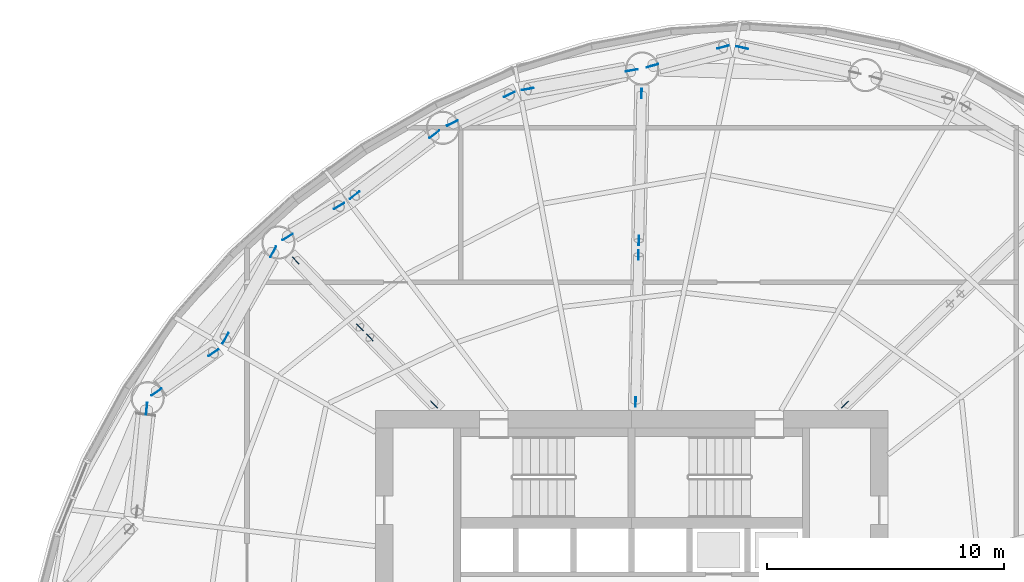
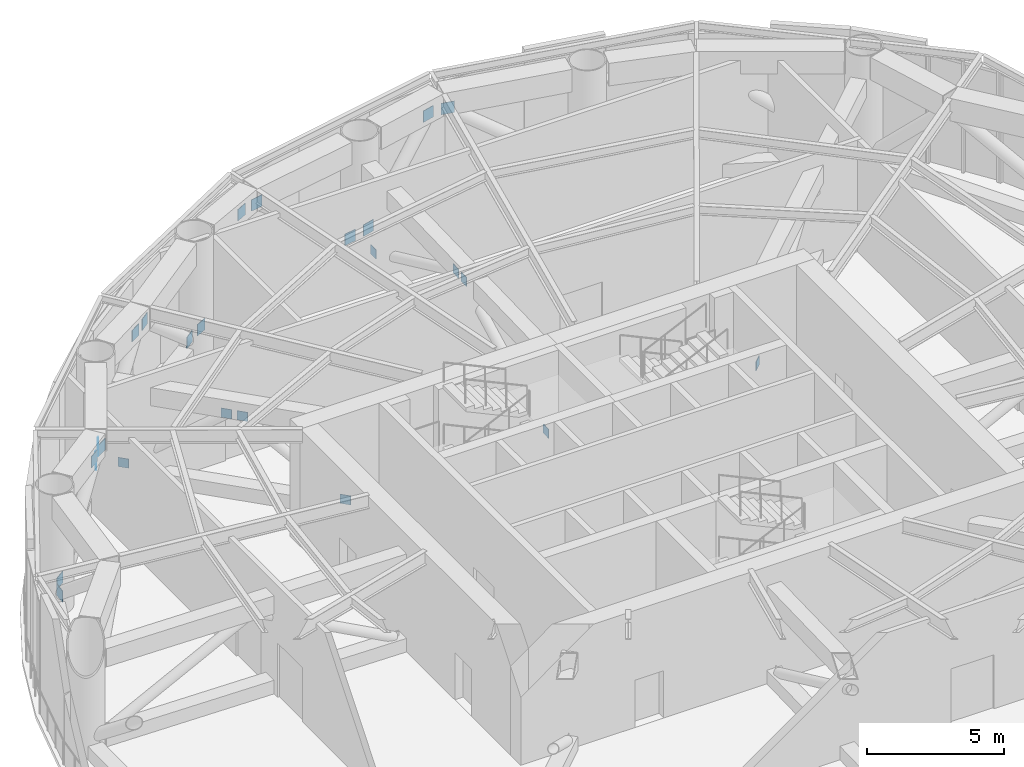
# One storey, part 14 of 19: 25 discrete accessories.
"""IFC4 building model written with IfcOpenShell, lengths in metres."""

from ifc_helpers import new_model, si_unit, direction, frame, origin, origin_2d, place, context, subcontext, project, spatial, rectangle, extrude, element, save


model = new_model("IFC4")

# Units and contexts
model_context = context("Model", 3, precision=1e-05, world=origin(), true_north=direction((0.0, 1.0)))
body_context = subcontext(model_context, "Body", "Model", "MODEL_VIEW")
ifc_project = project(units=[si_unit("LENGTHUNIT", "METRE"), si_unit("AREAUNIT", "SQUARE_METRE"), si_unit("VOLUMEUNIT", "CUBIC_METRE"), si_unit("PLANEANGLEUNIT", "RADIAN"), si_unit("MASSUNIT", "GRAM", prefix="KILO")], contexts=[model_context])

# Site, building, storey
site_placement = place(None, origin())
site = spatial("IfcSite", under=ifc_project, at=site_placement, CompositionType="ELEMENT")
building_placement = place(site_placement, origin())
building = spatial("IfcBuilding", under=site, at=building_placement, Name="Vermilion Reach Broadcast Tower", CompositionType="ELEMENT")
storey_placement = place(building_placement, frame((0.0, 0.0, 190.199951171875)))
storey = spatial("IfcBuildingStorey", under=building, at=storey_placement, Name="L46", CompositionType="ELEMENT", Elevation=190.199951171875)

# Discrete accessories
for number, where, z_axis, x_axis, name in (
    (1, (-1.350341796875, 23.679443359375, 4.0859375), (0.0, 0.0, 1.0), (-0.217054528288, -0.976159480695, 0.0), "Gusset plate BT3-D02A head"),
    (2, (-5.123291015625, 22.915283203125, 0.5458984375), (0.0, 0.0, 1.0), (-0.256063384529, 0.966659993536, 0.0), "Gusset plate BT3-D02B foot"),
    (3, (-2.14990234375, 23.702880859375, 4.0859375), (0.0, 0.0, 1.0), (-0.256063384529, 0.966659993536, 0.0), "Gusset plate BT3-D02B head"),
    (4, (-6.001220703125, 22.720458984375, 0.5458984375), (0.0, 0.0, 1.0), (0.176787643537, -0.984249017827, 0.0), "Gusset plate BT3-D03A foot"),
    (5, (-10.3857421875, 21.932861328125, 4.0859375), (0.0, 0.0, 1.0), (0.176787643537, -0.984249017827, 0.0), "Gusset plate BT3-D03A head"),
    (6, (-13.54931640625, 20.50244140625, 0.5458984375), (0.0, 0.0, 1.0), (-0.448300471679, 0.89388292695, 0.0), "Gusset plate BT3-D03B foot"),
    (7, (-11.152587890625, 21.70458984375, 4.0859375), (0.0, 0.0, 1.0), (-0.448300471679, 0.89388292695, 0.0), "Gusset plate BT3-D03B head"),
    (8, (-14.309326171875, 20.027587890625, 0.5458984375), (0.0, 0.0, 1.0), (0.606798738682, -0.794855515634, 0.0), "Gusset plate BT3-D04A foot"),
    (9, (-17.665283203125, 17.4658203125, 4.0859375), (0.0, 0.0, 1.0), (0.606798738682, -0.794855515634, 0.0), "Gusset plate BT3-D04A head"),
    (10, (-20.49365234375, 15.699462890625, 0.5458984375), (0.0, 0.0, 1.0), (-0.515980563901, 0.856600290495, 0.0), "Gusset plate BT3-D04B foot"),
    (11, (-18.3212890625, 17.008056640625, 4.0859375), (0.0, 0.0, 1.0), (-0.515980563901, 0.856600290495, 0.0), "Gusset plate BT3-D04B head"),
    (12, (-21.096923828125, 15.073486328125, 0.5458984375), (0.0, 0.0, 1.0), (0.875163403674, -0.483827466014, 0.0), "Gusset plate BT3-D05A foot"),
    (13, (-23.10546875, 11.440185546875, 4.0859375), (0.0, 0.0, 1.0), (0.875163403674, -0.483827466014, 0.0), "Gusset plate BT3-D05A head"),
    (14, (-26.018310546875, 9.167724609375, 0.5458984375), (0.0, 0.0, 1.0), (-0.569156237496, 0.822229394585, 0.0), "Gusset plate BT3-D05B foot"),
    (15, (-23.6201171875, 10.82763671875, 4.0859375), (0.0, 0.0, 1.0), (-0.569156237496, 0.822229394585, 0.0), "Gusset plate BT3-D05B head"),
    (16, (-26.431396484375, 8.463623046875, 0.5458984375), (0.0, 0.0, 1.0), (0.995420513513, -0.095592893449, 0.0), "Gusset plate BT3-D06A foot"),
):
    element("IfcDiscreteAccessory", number, at=place(storey_placement, frame(where, z_axis=z_axis, x_axis=x_axis)), inside=storey, Name=name, PredefinedType="NOTDEFINED", context=body_context, shape_type="SweptSolid", body=[
        extrude(rectangle(XDim=0.02490234375, YDim=0.508056640625, at=origin_2d()), origin(), (0.0, 0.0, 1.0), 0.508056640625),
    ])
for number, where, z_axis, x_axis, name in (
    (17, (2.984130859375, 8.642578125, 0.39697265625), (0.0, 0.0, 1.0), (-0.693276060614, 0.720672119468, 0.0), "Gusset plate OR3-01-DA foot"),
    (18, (-5.83056640625, 8.75, 0.39697265625), (0.0, 0.0, 1.0), (-0.999812346501, 0.019371932921, 0.0), "Gusset plate OR3-03-DA foot"),
    (19, (-5.71044921875, 14.9501953125, 3.34716796875), (0.0, 0.0, 1.0), (-0.999812346501, 0.019371932921, 0.0), "Gusset plate OR3-03-DA head"),
    (20, (-5.57861328125, 21.750244140625, 0.39697265625), (0.0, 0.0, 1.0), (-0.999812346501, 0.019371932921, 0.0), "Gusset plate OR3-03-DB foot"),
    (21, (-5.69873046875, 15.550048828125, 3.34716796875), (0.0, 0.0, 1.0), (-0.999812346501, 0.019371932921, 0.0), "Gusset plate OR3-03-DB head"),
    (22, (-14.3232421875, 8.65234375, 0.39697265625), (0.0, 0.0, 1.0), (-0.720672123183, -0.693276056753, 0.0), "Gusset plate OR3-05-DA foot"),
    (23, (-17.029296875, 11.465087890625, 3.34716796875), (0.0, 0.0, 1.0), (-0.720672123183, -0.693276056753, 0.0), "Gusset plate OR3-05-DA head"),
    (24, (-20.1513671875, 14.71044921875, 0.39697265625), (0.0, 0.0, 1.0), (-0.720672123183, -0.693276056753, 0.0), "Gusset plate OR3-05-DB foot"),
    (25, (-17.4453125, 11.8974609375, 3.34716796875), (0.0, 0.0, 1.0), (-0.720672123183, -0.693276056753, 0.0), "Gusset plate OR3-05-DB head"),
):
    element("IfcDiscreteAccessory", number, at=place(storey_placement, frame(where, z_axis=z_axis, x_axis=x_axis)), inside=storey, Name=name, PredefinedType="NOTDEFINED", context=body_context, shape_type="SweptSolid", body=[
        extrude(rectangle(XDim=0.02490234375, YDim=0.406005859375, at=origin_2d()), origin(), (0.0, 0.0, 1.0), 0.406005859375),
    ])

save(model, "model.ifc")
